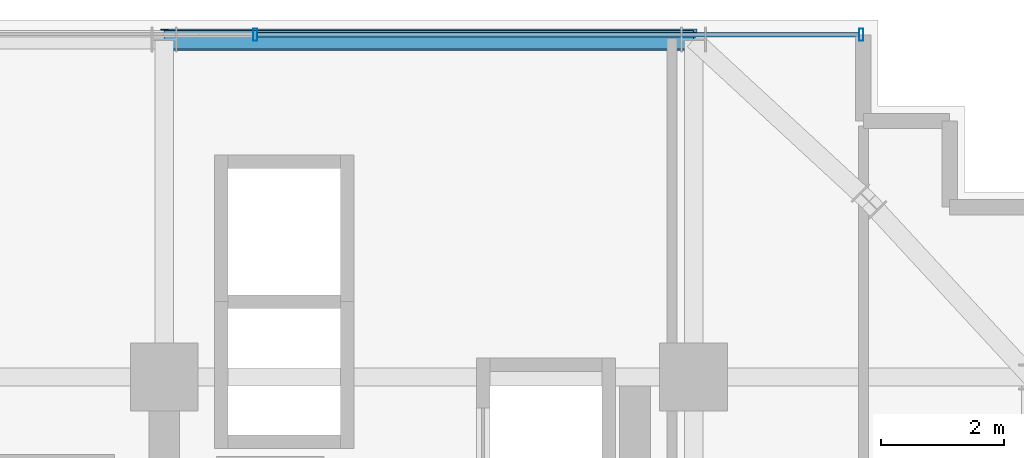
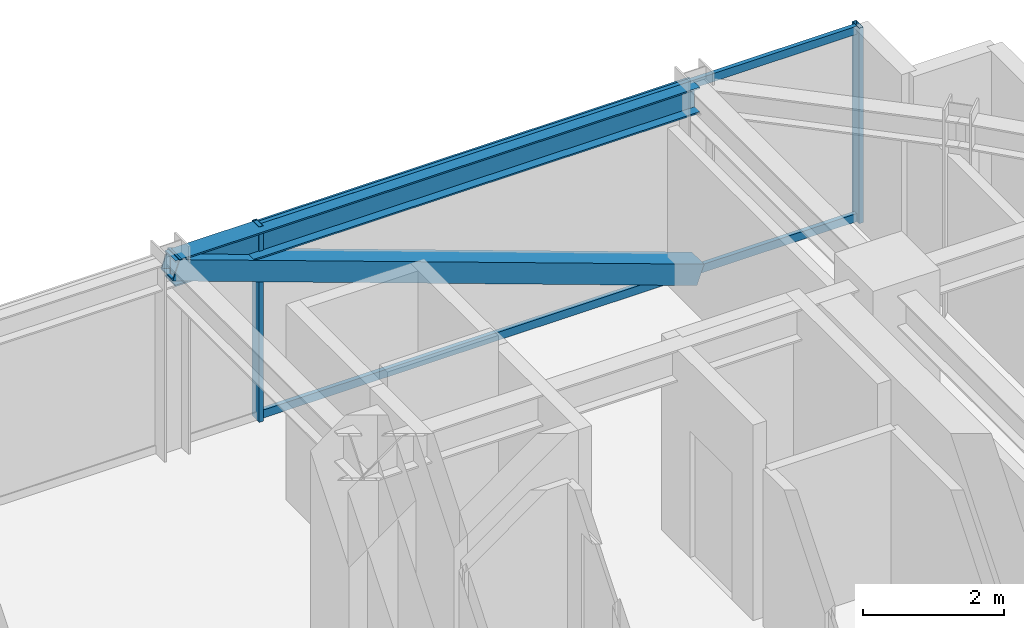
# One storey, part 29 of 38: 5 members, 1 beam, 1 element without a shape of its own.
"""IFC4 building model written with IfcOpenShell, lengths in metres."""

from ifc_helpers import new_model, si_unit, direction, frame, origin, origin_2d, place, context, subcontext, project, spatial, hollow_rectangle, i_section, extrude, source, transform, mapped, material, material_profile, profile_set, type_object, element, aggregate, save


model = new_model("IFC4")

# Units and contexts
model_context = context("Model", 3, precision=1e-05, world=origin(), true_north=direction((0.0, 1.0)))
body_context = subcontext(model_context, "Body", "Model", "MODEL_VIEW")
ifc_project = project(units=[si_unit("LENGTHUNIT", "METRE"), si_unit("AREAUNIT", "SQUARE_METRE"), si_unit("VOLUMEUNIT", "CUBIC_METRE"), si_unit("PLANEANGLEUNIT", "RADIAN"), si_unit("MASSUNIT", "GRAM", prefix="KILO")], contexts=[model_context])

# Site, building, storey
site_placement = place(None, origin())
site = spatial("IfcSite", under=ifc_project, at=site_placement, CompositionType="ELEMENT")
building_placement = place(site_placement, origin())
building = spatial("IfcBuilding", under=site, at=building_placement, Name="Nahalor Promenade Grand Hotel", CompositionType="ELEMENT")
storey_placement = place(building_placement, frame((0.0, 0.0, 163.60009765625)))
storey = spatial("IfcBuildingStorey", under=building, at=storey_placement, Name="L41", CompositionType="ELEMENT", Elevation=163.60009765625)

# Beam
ifc_material_1 = material(Name="Steel S355JR", Category="steel")
ifc_material_profile_1 = material_profile(ifc_material_1, i_section(OverallWidth=0.3, OverallDepth=0.45, WebThickness=0.014, FlangeThickness=0.026, at=origin_2d()), Name="HEB 450")
ifc_profile_set_1 = profile_set([ifc_material_profile_1], Name="Steel S355JR")
beam_type = type_object("IfcBeamType", Name="Beam-Spandrel-HEB450", PredefinedType="SPANDREL", material=ifc_profile_set_1)
shared_shape_1 = source(origin(), body_context, "Body", "SweptSolid", [
    extrude(i_section(OverallWidth=0.3, OverallDepth=0.45, WebThickness=0.014, FlangeThickness=0.026, at=origin_2d()), origin(), (0.0, 0.0, 1.0), 8.60009765625),
])
beam_placement = place(storey_placement, frame((8.39990234375, 22.47998046875, 3.164794921875), z_axis=(1.0, 0.0, 0.0), x_axis=(0.0, 1.0, 0.0)))
element("IfcBeam", 1, at=beam_placement, inside=storey, type_object=beam_type, Name="BM-L41-SP-N-4", PredefinedType="SPANDREL", context=body_context, shape_type="MappedRepresentation", body=[
    mapped(shared_shape_1, transform((0.0, 0.0, 0.0), scale=1.0)),
])

# Member
ifc_material_profile_2 = material_profile(ifc_material_1, hollow_rectangle(XDim=0.35, YDim=0.35, WallThickness=0.02, at=origin_2d()), Name="SHS 350x350x20")
ifc_profile_set_2 = profile_set([ifc_material_profile_2], Name="Steel S355JR")
member_type_1 = type_object("IfcMemberType", Name="Mem-VoidBrace-SHS350", PredefinedType="BRACE", material=ifc_profile_set_2)
shared_shape_2 = source(origin(), body_context, "Body", "SweptSolid", [
    extrude(hollow_rectangle(XDim=0.35, YDim=0.35, WallThickness=0.02, at=origin_2d()), origin(), (0.0, 0.0, 1.0), 9.138427734375),
])
member_1_placement = place(storey_placement, frame((17.0, 22.47998046875, 0.14990234375), z_axis=(-0.941094643271, 0.0, 0.338143272012), x_axis=(0.0, -1.0, 0.0)))
element("IfcMember", 2, at=member_1_placement, inside=storey, type_object=member_type_1, Name="EXO-L41-N-1", PredefinedType="BRACE", context=body_context, shape_type="MappedRepresentation", body=[
    mapped(shared_shape_2, transform((0.0, 0.0, 0.0), scale=1.0)),
])

# Curtain wall, members
ifc_material_2 = material(Name="Anodised Bronze Aluminium EN AW-6063 T6", Category="aluminium")
curtain_wall_type = type_object("IfcCurtainWallType", Name="CW3 Elliptical-Void Collar Unitised Curtain Wall", PredefinedType="USERDEFINED", material=ifc_material_2)
curtain_wall_placement = place(storey_placement, origin())
curtain_wall = element("IfcCurtainWall", 3, at=curtain_wall_placement, inside=storey, type_object=curtain_wall_type, Name="L41 Curtain Wall CW-L41-N-1", ObjectType="UNITISED_CURTAIN_WALL", PredefinedType="USERDEFINED")
ifc_material_profile_3 = material_profile(ifc_material_2, hollow_rectangle(XDim=0.07, YDim=0.14, WallThickness=0.004, at=origin_2d()), Name="CWT 70x140x4")
ifc_profile_set_3 = profile_set([ifc_material_profile_3], Name="Anodised Bronze Aluminium EN AW-6063 T6")
member_type_2 = type_object("IfcMemberType", Name="CWT3 Void Collar Transom 70x140", PredefinedType="USERDEFINED", material=ifc_profile_set_3)
shared_shape_3 = source(origin(), body_context, "Body", "SweptSolid", [
    extrude(hollow_rectangle(XDim=0.07, YDim=0.14, WallThickness=0.004, at=origin_2d()), origin(), (0.0, 0.0, 1.0), 9.77490234375),
])
member_2_placement = place(storey_placement, frame((9.9150390625, 22.56005859375, 0.06982421875), z_axis=(1.0, 0.0, 0.0), x_axis=(0.0, 1.0, 0.0)))
member_2 = element("IfcMember", 4, at=member_2_placement, type_object=member_type_2, Name="CW-L41-N-1 Transom 3-0", ObjectType="TRANSOM", PredefinedType="USERDEFINED", context=body_context, shape_type="MappedRepresentation", body=[
    mapped(shared_shape_3, transform((0.0, 0.0, 0.0), scale=1.0)),
])
member_3_placement = place(storey_placement, frame((9.9150390625, 22.56005859375, 3.31982421875), z_axis=(1.0, 0.0, 0.0), x_axis=(0.0, 1.0, 0.0)))
member_3 = element("IfcMember", 5, at=member_3_placement, type_object=member_type_2, Name="CW-L41-N-1 Transom 3-1", ObjectType="TRANSOM", PredefinedType="USERDEFINED", context=body_context, shape_type="MappedRepresentation", body=[
    mapped(shared_shape_3, transform((0.0, 0.0, 0.0), scale=1.0)),
])
ifc_material_profile_4 = material_profile(ifc_material_2, hollow_rectangle(XDim=0.07, YDim=0.2, WallThickness=0.005, at=origin_2d()), Name="CWM 70x200x5")
ifc_profile_set_4 = profile_set([ifc_material_profile_4], Name="Anodised Bronze Aluminium EN AW-6063 T6")
member_type_3 = type_object("IfcMemberType", Name="CWM3 Void Collar Mullion 70x200", PredefinedType="MULLION", material=ifc_profile_set_4)
shared_shape_4 = source(origin(), body_context, "Body", "SweptSolid", [
    extrude(hollow_rectangle(XDim=0.07, YDim=0.2, WallThickness=0.005, at=origin_2d()), origin(), (0.0, 0.0, 1.0), 3.389892578125),
])
member_4_placement = place(storey_placement, frame((9.8798828125, 22.56005859375, 0.0), z_axis=(0.0, 0.0, 1.0), x_axis=(1.0, 0.0, 0.0)))
member_4 = element("IfcMember", 6, at=member_4_placement, type_object=member_type_3, Name="CW-L41-N-1 Mullion 3", PredefinedType="MULLION", context=body_context, shape_type="MappedRepresentation", body=[
    mapped(shared_shape_4, transform((0.0, 0.0, 0.0), scale=1.0)),
])
member_5_placement = place(storey_placement, frame((19.72509765625, 22.56005859375, 0.0), z_axis=(0.0, 0.0, 1.0), x_axis=(1.0, 0.0, 0.0)))
member_5 = element("IfcMember", 7, at=member_5_placement, type_object=member_type_3, Name="CW-L41-N-1 Mullion 4", PredefinedType="MULLION", context=body_context, shape_type="MappedRepresentation", body=[
    mapped(shared_shape_4, transform((0.0, 0.0, 0.0), scale=1.0)),
])
aggregate(curtain_wall, [member_4, member_5, member_2, member_3])

save(model, "model.ifc")
